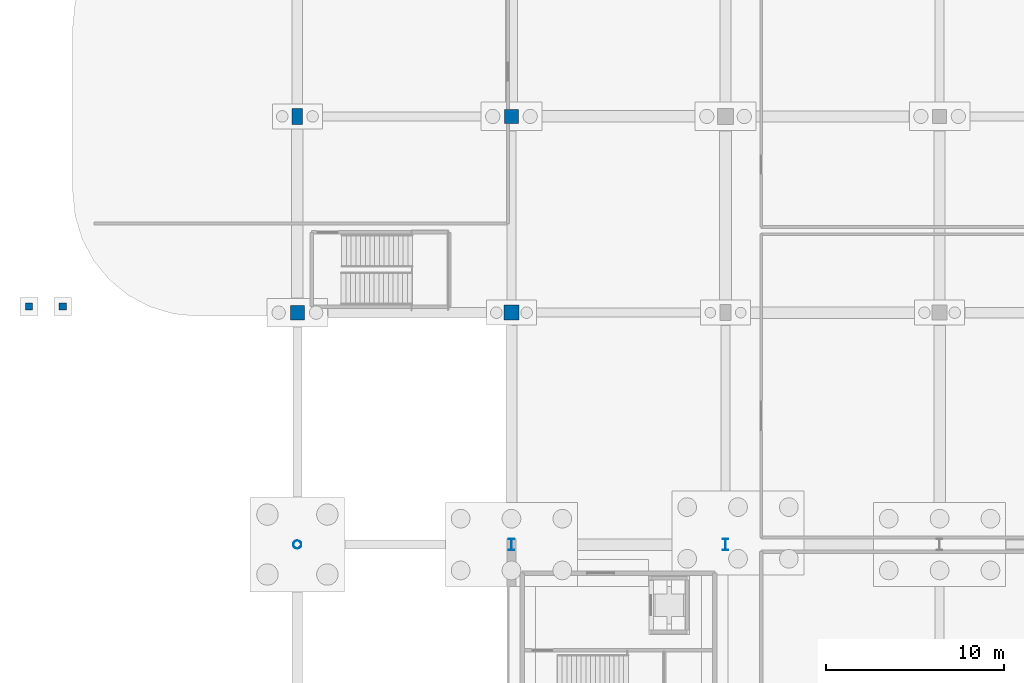
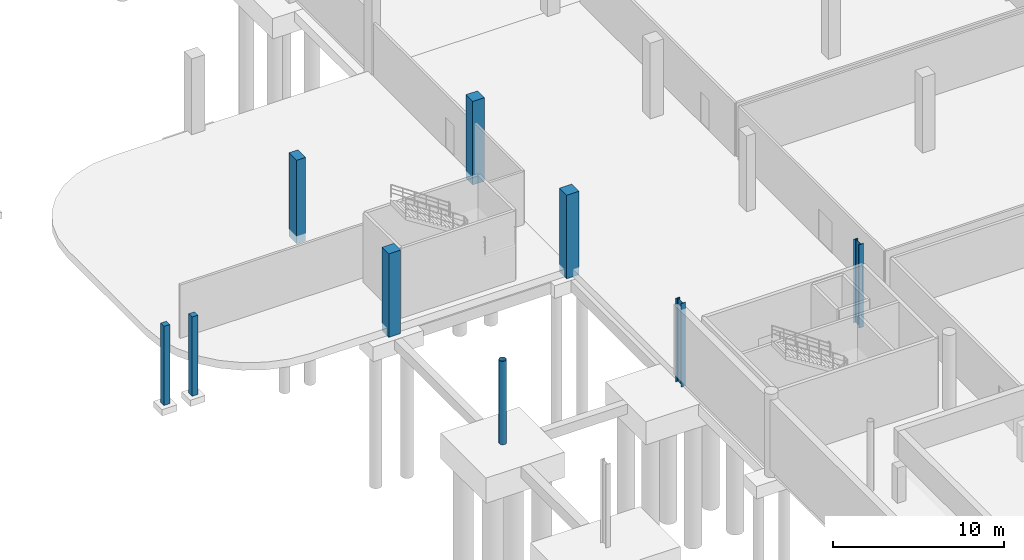
# One storey, part 17 of 42: 9 columns.
"""IFC4 building model written with IfcOpenShell, lengths in metres."""

from ifc_helpers import new_model, si_unit, direction, frame, origin, origin_2d, place, context, subcontext, project, spatial, rectangle, hollow_circle, i_section, extrude, material, material_profile, profile_set, type_object, element, save


model = new_model("IFC4")

# Units and contexts
model_context = context("Model", 3, precision=1e-05, world=origin(), true_north=direction((0.0, 1.0)))
body_context = subcontext(model_context, "Body", "Model", "MODEL_VIEW")
ifc_project = project(units=[si_unit("LENGTHUNIT", "METRE"), si_unit("AREAUNIT", "SQUARE_METRE"), si_unit("VOLUMEUNIT", "CUBIC_METRE"), si_unit("PLANEANGLEUNIT", "RADIAN"), si_unit("MASSUNIT", "GRAM", prefix="KILO"), si_unit("THERMODYNAMICTEMPERATUREUNIT", "KELVIN"), si_unit("POWERUNIT", "WATT")], contexts=[model_context])

# Site, building, storey
site_placement = place(None, origin())
site = spatial("IfcSite", under=ifc_project, at=site_placement, CompositionType="ELEMENT")
building_placement = place(site_placement, origin())
building = spatial("IfcBuilding", under=site, at=building_placement, Name="Solmara Park Aquatics Centre", CompositionType="ELEMENT")
storey_placement = place(building_placement, frame((0.0, 0.0, -5.39990234375)))
storey = spatial("IfcBuildingStorey", under=building, at=storey_placement, Name="B1", CompositionType="ELEMENT", Elevation=-5.39990234375)

# Columns
ifc_material_1 = material(Name="Structural Steel S355", Category="steel")
ifc_material_profile_1 = material_profile(ifc_material_1, hollow_circle(Radius=0.228515625, WallThickness=0.01611328125, at=origin_2d()), Name="CHS 457x16")
ifc_profile_set_1 = profile_set([ifc_material_profile_1], Name="Structural Steel S355")
column_type_1 = type_object("IfcColumnType", Name="STR-COL-CHS457", PredefinedType="COLUMN", material=ifc_profile_set_1)
column_1_placement = place(storey_placement, frame((12.60009765625, 72.60009765625, -0.550048828125), z_axis=(0.0, 0.0, 1.0), x_axis=(1.0, 0.0, 0.0)))
element("IfcColumn", 1, at=column_1_placement, inside=storey, type_object=column_type_1, Name="Column B1-0006", PredefinedType="COLUMN", context=body_context, shape_type="SweptSolid", body=[
    extrude(hollow_circle(Radius=0.228515625, WallThickness=0.01611328125, at=origin_2d()), origin(), (0.0, 0.0, 1.0), 5.949951171875),
])
ifc_material_profile_2 = material_profile(ifc_material_1, i_section(OverallWidth=0.300048828125, OverallDepth=0.64990234375, WebThickness=0.01611328125, FlangeThickness=0.031005859375, FilletRadius=0.027099609375, at=origin_2d()), Name="HEB 650")
ifc_profile_set_2 = profile_set([ifc_material_profile_2], Name="Structural Steel S355")
column_type_2 = type_object("IfcColumnType", Name="STR-COL-HEB650", PredefinedType="COLUMN", material=ifc_profile_set_2)
for number, where, z_axis, x_axis, name in (
    (2, (24.60009765625, 72.60009765625, -0.550048828125), (0.0, 0.0, 1.0), (1.0, 0.0, 0.0), "Column B1-0013"),
    (3, (36.60009765625, 72.60009765625, -0.550048828125), (0.0, 0.0, 1.0), (1.0, 0.0, 0.0), "Column B1-0023"),
):
    element("IfcColumn", number, at=place(storey_placement, frame(where, z_axis=z_axis, x_axis=x_axis)), inside=storey, type_object=column_type_2, Name=name, PredefinedType="COLUMN", context=body_context, shape_type="SweptSolid", body=[
        extrude(i_section(OverallWidth=0.300048828125, OverallDepth=0.64990234375, WebThickness=0.01611328125, FlangeThickness=0.031005859375, FilletRadius=0.027099609375, at=origin_2d()), origin(), (0.0, 0.0, 1.0), 5.949951171875),
    ])
ifc_material_2 = material(Name="Concrete C40/50", Category="concrete")
ifc_material_profile_3 = material_profile(ifc_material_2, rectangle(XDim=0.39990234375, YDim=0.39990234375, at=origin_2d()), Name="RC 400x400")
ifc_profile_set_3 = profile_set([ifc_material_profile_3], Name="Concrete C40/50")
column_type_3 = type_object("IfcColumnType", Name="STR-COL-RC400", PredefinedType="COLUMN", material=ifc_profile_set_3)
for number, where, z_axis, x_axis, name in (
    (4, (-2.449951171875, 85.949951171875, -0.550048828125), (0.0, 0.0, 1.0), (1.0, 0.0, 0.0), "Apron Foundation Pier SLB-L00-APR-W-1"),
    (5, (-0.550048828125, 85.949951171875, -0.550048828125), (0.0, 0.0, 1.0), (1.0, 0.0, 0.0), "Apron Foundation Pier SLB-L00-APR-W-2"),
):
    element("IfcColumn", number, at=place(storey_placement, frame(where, z_axis=z_axis, x_axis=x_axis)), inside=storey, type_object=column_type_3, Name=name, PredefinedType="COLUMN", context=body_context, shape_type="SweptSolid", body=[
        extrude(rectangle(XDim=0.39990234375, YDim=0.39990234375, at=origin_2d()), origin(), (0.0, 0.0, 1.0), 5.64990234375),
    ])
ifc_material_profile_4 = material_profile(ifc_material_2, rectangle(XDim=0.60009765625, YDim=0.89990234375, at=origin_2d()), Name="RC 600x900")
ifc_profile_set_4 = profile_set([ifc_material_profile_4], Name="Concrete C40/50")
column_type_4 = type_object("IfcColumnType", Name="STR-COL-RC600x900", PredefinedType="COLUMN", material=ifc_profile_set_4)
column_2_placement = place(storey_placement, frame((12.60009765625, 96.60009765625, -0.550048828125), z_axis=(0.0, 0.0, 1.0), x_axis=(1.0, 0.0, 0.0)))
element("IfcColumn", 6, at=column_2_placement, inside=storey, type_object=column_type_4, Name="Column B1-0008", PredefinedType="COLUMN", context=body_context, shape_type="SweptSolid", body=[
    extrude(rectangle(XDim=0.60009765625, YDim=0.89990234375, at=origin_2d()), origin(), (0.0, 0.0, 1.0), 5.949951171875),
])
ifc_material_profile_5 = material_profile(ifc_material_2, rectangle(XDim=0.800048828125, YDim=0.800048828125, at=origin_2d()), Name="RC 800x800")
ifc_profile_set_5 = profile_set([ifc_material_profile_5], Name="Concrete C40/50")
column_type_5 = type_object("IfcColumnType", Name="STR-COL-RC800", PredefinedType="COLUMN", material=ifc_profile_set_5)
for number, where, z_axis, x_axis, name in (
    (7, (12.60009765625, 85.60009765625, -0.550048828125), (0.0, 0.0, 1.0), (1.0, 0.0, 0.0), "Column B1-0007"),
    (8, (24.60009765625, 96.60009765625, -0.550048828125), (0.0, 0.0, 1.0), (1.0, 0.0, 0.0), "Column B1-0015"),
):
    element("IfcColumn", number, at=place(storey_placement, frame(where, z_axis=z_axis, x_axis=x_axis)), inside=storey, type_object=column_type_5, Name=name, PredefinedType="COLUMN", context=body_context, shape_type="SweptSolid", body=[
        extrude(rectangle(XDim=0.800048828125, YDim=0.800048828125, at=origin_2d()), origin(), (0.0, 0.0, 1.0), 5.949951171875),
    ])
ifc_material_profile_6 = material_profile(ifc_material_2, rectangle(XDim=0.85009765625, YDim=0.85009765625, at=origin_2d()), Name="RC 850x850")
ifc_profile_set_6 = profile_set([ifc_material_profile_6], Name="Concrete C40/50")
column_type_6 = type_object("IfcColumnType", Name="STR-COL-RC850", PredefinedType="COLUMN", material=ifc_profile_set_6)
column_3_placement = place(storey_placement, frame((24.60009765625, 85.60009765625, -0.550048828125), z_axis=(0.0, 0.0, 1.0), x_axis=(1.0, 0.0, 0.0)))
element("IfcColumn", 9, at=column_3_placement, inside=storey, type_object=column_type_6, Name="Column B1-0014", PredefinedType="COLUMN", context=body_context, shape_type="SweptSolid", body=[
    extrude(rectangle(XDim=0.85009765625, YDim=0.85009765625, at=origin_2d()), origin(), (0.0, 0.0, 1.0), 5.949951171875),
])

save(model, "model.ifc")
